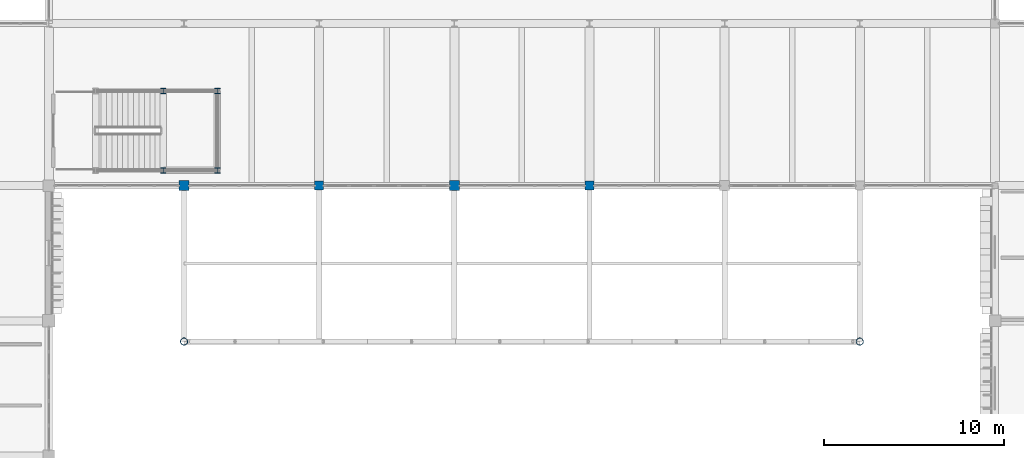
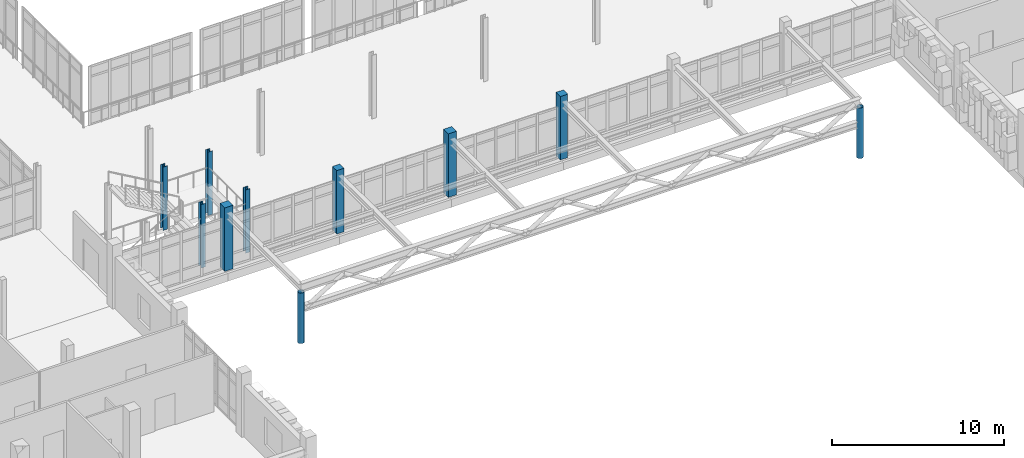
# One storey, part 5 of 128: 10 columns.
"""IFC4 building model written with IfcOpenShell, lengths in metres."""

from ifc_helpers import new_model, si_unit, direction, frame, origin, origin_2d, place, context, subcontext, project, spatial, rectangle, hollow_circle, i_section, extrude, material, material_profile, profile_set, type_object, element, save


model = new_model("IFC4")

# Units and contexts
model_context = context("Model", 3, precision=1e-05, world=origin(), true_north=direction((0.0, 1.0)))
body_context = subcontext(model_context, "Body", "Model", "MODEL_VIEW")
ifc_project = project(units=[si_unit("LENGTHUNIT", "METRE"), si_unit("AREAUNIT", "SQUARE_METRE"), si_unit("VOLUMEUNIT", "CUBIC_METRE"), si_unit("PLANEANGLEUNIT", "RADIAN"), si_unit("MASSUNIT", "GRAM", prefix="KILO")], contexts=[model_context])

# Site, building, storey
site_placement = place(None, origin())
site = spatial("IfcSite", under=ifc_project, at=site_placement, CompositionType="ELEMENT")
building_placement = place(site_placement, origin())
building = spatial("IfcBuilding", under=site, at=building_placement, Name="Dalvernix Boulevard General Hospital", CompositionType="ELEMENT")
storey_placement = place(building_placement, frame((0.0, 0.0, 4.800048828125)))
storey = spatial("IfcBuildingStorey", under=building, at=storey_placement, Name="L01", CompositionType="ELEMENT", Elevation=4.800048828125)

# Columns
ifc_material_1 = material(Name="Concrete C40/50", Category="concrete")
ifc_material_profile_1 = material_profile(ifc_material_1, rectangle(XDim=0.550048828125, YDim=0.550048828125, at=origin_2d()), Name="RC 550x550")
ifc_profile_set_1 = profile_set([ifc_material_profile_1], Name="Concrete C40/50")
column_type_1 = type_object("IfcColumnType", Name="COL-C-08-E", PredefinedType="COLUMN", material=ifc_profile_set_1)
for number, where, z_axis, x_axis, name in (
    (1, (67.5, 22.5, 0.0), (0.0, 0.0, 1.0), (1.0, 0.0, 0.0), "L01 column 10D"),
    (2, (82.5, 22.5, 0.0), (0.0, 0.0, 1.0), (1.0, 0.0, 0.0), "L01 column 12D"),
):
    element("IfcColumn", number, at=place(storey_placement, frame(where, z_axis=z_axis, x_axis=x_axis)), inside=storey, type_object=column_type_1, Name=name, PredefinedType="COLUMN", context=body_context, shape_type="SweptSolid", body=[
        extrude(rectangle(XDim=0.550048828125, YDim=0.550048828125, at=origin_2d()), origin(), (0.0, 0.0, 1.0), 4.5),
    ])
ifc_material_profile_2 = material_profile(ifc_material_1, rectangle(XDim=0.5, YDim=0.5, at=origin_2d()), Name="RC 500x500")
ifc_profile_set_2 = profile_set([ifc_material_profile_2], Name="Concrete C40/50")
column_type_2 = type_object("IfcColumnType", Name="COL-C-09-E", PredefinedType="COLUMN", material=ifc_profile_set_2)
for number, where, z_axis, x_axis, name in (
    (3, (75.0, 22.5, 0.0), (0.0, 0.0, 1.0), (1.0, 0.0, 0.0), "L01 column 11D"),
    (4, (90.0, 22.5, 0.0), (0.0, 0.0, 1.0), (1.0, 0.0, 0.0), "L01 column 13D"),
):
    element("IfcColumn", number, at=place(storey_placement, frame(where, z_axis=z_axis, x_axis=x_axis)), inside=storey, type_object=column_type_2, Name=name, PredefinedType="COLUMN", context=body_context, shape_type="SweptSolid", body=[
        extrude(rectangle(XDim=0.5, YDim=0.5, at=origin_2d()), origin(), (0.0, 0.0, 1.0), 4.5),
    ])
ifc_material_2 = material(Name="Steel S355", Category="steel")
ifc_material_profile_3 = material_profile(ifc_material_2, i_section(OverallWidth=0.300048828125, OverallDepth=0.300048828125, WebThickness=0.010986328125, FlangeThickness=0.01904296875, FilletRadius=0.027099609375, at=origin_2d()), Name="HEB 300")
ifc_profile_set_3 = profile_set([ifc_material_profile_3], Name="Steel S355")
column_type_3 = type_object("IfcColumnType", Name="COL-C-18", PredefinedType="COLUMN", material=ifc_profile_set_3)
for number, where, z_axis, x_axis, name in (
    (5, (66.35009765625, 23.35009765625, 0.0), (0.0, 0.0, 1.0), (1.0, 0.0, 0.0), "L01 Monumental Stair ST-07 column 2"),
    (6, (69.35009765625, 23.35009765625, 0.0), (0.0, 0.0, 1.0), (1.0, 0.0, 0.0), "L01 Monumental Stair ST-07 column 3"),
    (7, (66.35009765625, 27.75, 0.0), (0.0, 0.0, 1.0), (1.0, 0.0, 0.0), "L01 Monumental Stair ST-07 column 5"),
    (8, (69.35009765625, 27.75, 0.0), (0.0, 0.0, 1.0), (1.0, 0.0, 0.0), "L01 Monumental Stair ST-07 column 6"),
):
    element("IfcColumn", number, at=place(storey_placement, frame(where, z_axis=z_axis, x_axis=x_axis)), inside=storey, type_object=column_type_3, Name=name, PredefinedType="COLUMN", context=body_context, shape_type="SweptSolid", body=[
        extrude(i_section(OverallWidth=0.300048828125, OverallDepth=0.300048828125, WebThickness=0.010986328125, FlangeThickness=0.01904296875, FilletRadius=0.027099609375, at=origin_2d()), origin(), (0.0, 0.0, 1.0), 4.5),
    ])
ifc_material_profile_4 = material_profile(ifc_material_2, hollow_circle(Radius=0.203125, WallThickness=0.01611328125, at=origin_2d()), Name="CHS 406.4x16.0")
ifc_profile_set_4 = profile_set([ifc_material_profile_4], Name="Steel S355")
column_type_4 = type_object("IfcColumnType", Name="COL-C-19", PredefinedType="COLUMN", material=ifc_profile_set_4)
for number, where, z_axis, x_axis, name in (
    (9, (67.5, 13.85009765625, 0.0), (0.0, 0.0, 1.0), (1.0, 0.0, 0.0), "L01 Porte-cochere corner steel pylon L01-1"),
    (10, (105.0, 13.85009765625, 0.0), (0.0, 0.0, 1.0), (1.0, 0.0, 0.0), "L01 Porte-cochere corner steel pylon L01-2"),
):
    element("IfcColumn", number, at=place(storey_placement, frame(where, z_axis=z_axis, x_axis=x_axis)), inside=storey, type_object=column_type_4, Name=name, PredefinedType="COLUMN", context=body_context, shape_type="SweptSolid", body=[
        extrude(hollow_circle(Radius=0.203125, WallThickness=0.01611328125, at=origin_2d()), origin(), (0.0, 0.0, 1.0), 3.579833984375),
    ])

save(model, "model.ifc")
